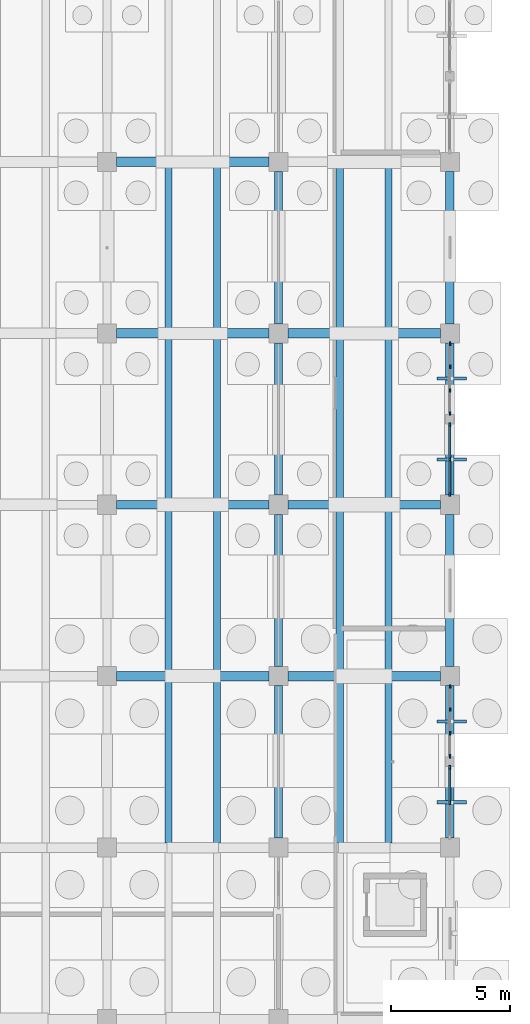
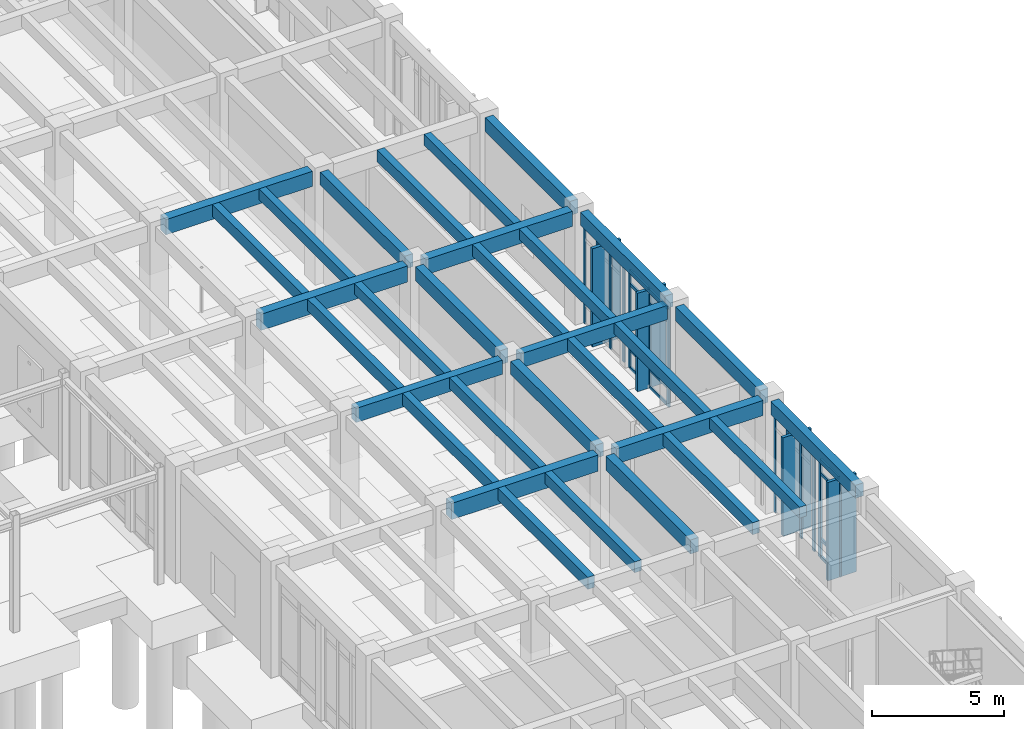
# One storey, part 40 of 93: 31 beams, 29 members, 4 elements without a shape of their own.
"""IFC4 building model written with IfcOpenShell, lengths in metres."""

from ifc_helpers import new_model, si_unit, direction, frame, origin, origin_2d, place, context, subcontext, project, spatial, rectangle, extrude, material, layer, layer_set, material_profile, profile_set, type_object, element, aggregate, save


model = new_model("IFC4")

# Units and contexts
model_context = context("Model", 3, precision=1e-05, world=origin(), true_north=direction((0.0, 1.0)))
body_context = subcontext(model_context, "Body", "Model", "MODEL_VIEW")
ifc_project = project(units=[si_unit("LENGTHUNIT", "METRE"), si_unit("AREAUNIT", "SQUARE_METRE"), si_unit("VOLUMEUNIT", "CUBIC_METRE"), si_unit("PLANEANGLEUNIT", "RADIAN"), si_unit("MASSUNIT", "GRAM", prefix="KILO")], contexts=[model_context])

# Site, building, storey
site_placement = place(None, origin())
site = spatial("IfcSite", under=ifc_project, at=site_placement, CompositionType="ELEMENT")
building_placement = place(site_placement, origin())
building = spatial("IfcBuilding", under=site, at=building_placement, Name="Koriwan Promenade Central Fire Station", CompositionType="ELEMENT")
storey_placement = place(building_placement, origin())
storey = spatial("IfcBuildingStorey", under=building, at=storey_placement, Name="L00", CompositionType="ELEMENT", Elevation=0.0)

# Beams
ifc_material_1 = material(Name="Concrete C35/45", Category="concrete")
ifc_material_profile_1 = material_profile(ifc_material_1, rectangle(XDim=0.300048828125, YDim=0.5, at=origin_2d()), Name="RC-BM-300x500")
ifc_profile_set_1 = profile_set([ifc_material_profile_1], Name="Concrete C35/45")
beam_type_1 = type_object("IfcBeamType", Name="Beam_RC-BM-300x500", PredefinedType="JOIST", material=ifc_profile_set_1)
for number, where, z_axis, x_axis, name in (
    (1, (163.02392578125, 29.0, 4.89990234375), (0.0, 1.0, 0.0), (-1.0, 0.0, 0.0), "V5 L00 secondary joist 585"),
    (2, (170.22412109375, 29.0, 4.89990234375), (0.0, 1.0, 0.0), (-1.0, 0.0, 0.0), "V5 L00 secondary joist 587"),
):
    element("IfcBeam", number, at=place(storey_placement, frame(where, z_axis=z_axis, x_axis=x_axis)), inside=storey, type_object=beam_type_1, Name=name, PredefinedType="JOIST", context=body_context, shape_type="SweptSolid", body=[
        extrude(rectangle(XDim=0.300048828125, YDim=0.5, at=origin_2d()), origin(), (0.0, 0.0, 1.0), 6.800048828125),
    ])
for number, where, z_axis, x_axis, name in (
    (3, (163.02392578125, 36.199951171875, 4.89990234375), (0.0, 1.0, 0.0), (-1.0, 0.0, 0.0), "V5 L00 secondary joist 591"),
    (4, (170.22412109375, 36.199951171875, 4.89990234375), (0.0, 1.0, 0.0), (-1.0, 0.0, 0.0), "V5 L00 secondary joist 593"),
    (5, (163.02392578125, 43.375, 4.89990234375), (0.0, 1.0, 0.0), (-1.0, 0.0, 0.0), "V5 L00 secondary joist 597"),
    (6, (170.22412109375, 43.375, 4.89990234375), (0.0, 1.0, 0.0), (-1.0, 0.0, 0.0), "V5 L00 secondary joist 599"),
):
    element("IfcBeam", number, at=place(storey_placement, frame(where, z_axis=z_axis, x_axis=x_axis)), inside=storey, type_object=beam_type_1, Name=name, PredefinedType="JOIST", context=body_context, shape_type="SweptSolid", body=[
        extrude(rectangle(XDim=0.300048828125, YDim=0.5, at=origin_2d()), origin(), (0.0, 0.0, 1.0), 6.824951171875),
    ])
for number, where, z_axis, x_axis, name in (
    (7, (163.02392578125, 50.60009765625, 4.89990234375), (0.0, 1.0, 0.0), (-1.0, 0.0, 0.0), "V5 L00 secondary joist 603"),
    (8, (170.22412109375, 50.60009765625, 4.89990234375), (0.0, 1.0, 0.0), (-1.0, 0.0, 0.0), "V5 L00 secondary joist 605"),
):
    element("IfcBeam", number, at=place(storey_placement, frame(where, z_axis=z_axis, x_axis=x_axis)), inside=storey, type_object=beam_type_1, Name=name, PredefinedType="JOIST", context=body_context, shape_type="SweptSolid", body=[
        extrude(rectangle(XDim=0.300048828125, YDim=0.5, at=origin_2d()), origin(), (0.0, 0.0, 1.0), 6.7998046875),
    ])
ifc_material_profile_2 = material_profile(ifc_material_1, rectangle(XDim=0.300048828125, YDim=0.550048828125, at=origin_2d()), Name="RC-BM-300x550")
ifc_profile_set_2 = profile_set([ifc_material_profile_2], Name="Concrete C35/45")
beam_type_2 = type_object("IfcBeamType", Name="Beam_RC-BM-300x550", PredefinedType="JOIST", material=ifc_profile_set_2)
for number, where, z_axis, x_axis, name in (
    (9, (160.97607421875, 29.0, 4.875), (0.0, 1.0, 0.0), (-1.0, 0.0, 0.0), "V5 L00 secondary joist 584"),
    (10, (168.176025390625, 29.0, 4.875), (0.0, 1.0, 0.0), (-1.0, 0.0, 0.0), "V5 L00 secondary joist 586"),
):
    element("IfcBeam", number, at=place(storey_placement, frame(where, z_axis=z_axis, x_axis=x_axis)), inside=storey, type_object=beam_type_2, Name=name, PredefinedType="JOIST", context=body_context, shape_type="SweptSolid", body=[
        extrude(rectangle(XDim=0.300048828125, YDim=0.550048828125, at=origin_2d()), origin(), (0.0, 0.0, 1.0), 6.800048828125),
    ])
for number, where, z_axis, x_axis, name in (
    (11, (160.97607421875, 36.199951171875, 4.875), (0.0, 1.0, 0.0), (-1.0, 0.0, 0.0), "V5 L00 secondary joist 590"),
    (12, (168.176025390625, 36.199951171875, 4.875), (0.0, 1.0, 0.0), (-1.0, 0.0, 0.0), "V5 L00 secondary joist 592"),
    (13, (160.97607421875, 43.375, 4.875), (0.0, 1.0, 0.0), (-1.0, 0.0, 0.0), "V5 L00 secondary joist 596"),
    (14, (168.176025390625, 43.375, 4.875), (0.0, 1.0, 0.0), (-1.0, 0.0, 0.0), "V5 L00 secondary joist 598"),
):
    element("IfcBeam", number, at=place(storey_placement, frame(where, z_axis=z_axis, x_axis=x_axis)), inside=storey, type_object=beam_type_2, Name=name, PredefinedType="JOIST", context=body_context, shape_type="SweptSolid", body=[
        extrude(rectangle(XDim=0.300048828125, YDim=0.550048828125, at=origin_2d()), origin(), (0.0, 0.0, 1.0), 6.824951171875),
    ])
for number, where, z_axis, x_axis, name in (
    (15, (160.97607421875, 50.60009765625, 4.875), (0.0, 1.0, 0.0), (-1.0, 0.0, 0.0), "V5 L00 secondary joist 602"),
    (16, (168.176025390625, 50.60009765625, 4.875), (0.0, 1.0, 0.0), (-1.0, 0.0, 0.0), "V5 L00 secondary joist 604"),
):
    element("IfcBeam", number, at=place(storey_placement, frame(where, z_axis=z_axis, x_axis=x_axis)), inside=storey, type_object=beam_type_2, Name=name, PredefinedType="JOIST", context=body_context, shape_type="SweptSolid", body=[
        extrude(rectangle(XDim=0.300048828125, YDim=0.550048828125, at=origin_2d()), origin(), (0.0, 0.0, 1.0), 6.7998046875),
    ])
ifc_material_profile_3 = material_profile(ifc_material_1, rectangle(XDim=0.35009765625, YDim=0.60009765625, at=origin_2d()), Name="RC-BM-350x600")
ifc_profile_set_3 = profile_set([ifc_material_profile_3], Name="Concrete C35/45")
beam_type_3 = type_object("IfcBeamType", Name="Beam_RC-BM-350x600", PredefinedType="BEAM", material=ifc_profile_set_3)
beam_1_placement = place(storey_placement, frame((165.60009765625, 36.39990234375, 4.85009765625), z_axis=(0.0, 1.0, 0.0), x_axis=(-1.0, 0.0, 0.0)))
element("IfcBeam", 17, at=beam_1_placement, inside=storey, type_object=beam_type_3, Name="V5 L00 girder Y-546", PredefinedType="BEAM", context=body_context, shape_type="SweptSolid", body=[
    extrude(rectangle(XDim=0.35009765625, YDim=0.60009765625, at=origin_2d()), origin(), (0.0, 0.0, 1.0), 6.400146484375),
])
beam_2_placement = place(storey_placement, frame((165.60009765625, 50.800048828125, 4.85009765625), z_axis=(0.0, 1.0, 0.0), x_axis=(-1.0, 0.0, 0.0)))
element("IfcBeam", 18, at=beam_2_placement, inside=storey, type_object=beam_type_3, Name="V5 L00 girder Y-548", PredefinedType="BEAM", context=body_context, shape_type="SweptSolid", body=[
    extrude(rectangle(XDim=0.35009765625, YDim=0.60009765625, at=origin_2d()), origin(), (0.0, 0.0, 1.0), 6.39990234375),
])
beam_3_placement = place(storey_placement, frame((172.800048828125, 29.199951171875, 4.85009765625), z_axis=(0.0, 1.0, 0.0), x_axis=(-1.0, 0.0, 0.0)))
element("IfcBeam", 19, at=beam_3_placement, inside=storey, type_object=beam_type_3, Name="V5 L00 girder Y-556", PredefinedType="BEAM", context=body_context, shape_type="SweptSolid", body=[
    extrude(rectangle(XDim=0.35009765625, YDim=0.60009765625, at=origin_2d()), origin(), (0.0, 0.0, 1.0), 6.400146484375),
])
beam_4_placement = place(storey_placement, frame((172.800048828125, 43.60009765625, 4.85009765625), z_axis=(0.0, 1.0, 0.0), x_axis=(-1.0, 0.0, 0.0)))
element("IfcBeam", 20, at=beam_4_placement, inside=storey, type_object=beam_type_3, Name="V5 L00 girder Y-558", PredefinedType="BEAM", context=body_context, shape_type="SweptSolid", body=[
    extrude(rectangle(XDim=0.35009765625, YDim=0.60009765625, at=origin_2d()), origin(), (0.0, 0.0, 1.0), 6.39990234375),
])
ifc_material_profile_4 = material_profile(ifc_material_1, rectangle(XDim=0.35009765625, YDim=0.64990234375, at=origin_2d()), Name="RC-BM-350x650")
ifc_profile_set_4 = profile_set([ifc_material_profile_4], Name="Concrete C35/45")
beam_type_4 = type_object("IfcBeamType", Name="Beam_RC-BM-350x650", PredefinedType="BEAM", material=ifc_profile_set_4)
beam_5_placement = place(storey_placement, frame((165.60009765625, 29.199951171875, 4.824951171875), z_axis=(0.0, 1.0, 0.0), x_axis=(-1.0, 0.0, 0.0)))
element("IfcBeam", 21, at=beam_5_placement, inside=storey, type_object=beam_type_4, Name="V5 L00 girder Y-545", PredefinedType="BEAM", context=body_context, shape_type="SweptSolid", body=[
    extrude(rectangle(XDim=0.35009765625, YDim=0.64990234375, at=origin_2d()), origin(), (0.0, 0.0, 1.0), 6.400146484375),
])
beam_6_placement = place(storey_placement, frame((165.60009765625, 43.60009765625, 4.824951171875), z_axis=(0.0, 1.0, 0.0), x_axis=(-1.0, 0.0, 0.0)))
element("IfcBeam", 22, at=beam_6_placement, inside=storey, type_object=beam_type_4, Name="V5 L00 girder Y-547", PredefinedType="BEAM", context=body_context, shape_type="SweptSolid", body=[
    extrude(rectangle(XDim=0.35009765625, YDim=0.64990234375, at=origin_2d()), origin(), (0.0, 0.0, 1.0), 6.39990234375),
])
beam_7_placement = place(storey_placement, frame((172.800048828125, 36.39990234375, 4.824951171875), z_axis=(0.0, 1.0, 0.0), x_axis=(-1.0, 0.0, 0.0)))
element("IfcBeam", 23, at=beam_7_placement, inside=storey, type_object=beam_type_4, Name="V5 L00 girder Y-557", PredefinedType="BEAM", context=body_context, shape_type="SweptSolid", body=[
    extrude(rectangle(XDim=0.35009765625, YDim=0.64990234375, at=origin_2d()), origin(), (0.0, 0.0, 1.0), 6.400146484375),
])
beam_8_placement = place(storey_placement, frame((172.800048828125, 50.800048828125, 4.824951171875), z_axis=(0.0, 1.0, 0.0), x_axis=(-1.0, 0.0, 0.0)))
element("IfcBeam", 24, at=beam_8_placement, inside=storey, type_object=beam_type_4, Name="V5 L00 girder Y-559", PredefinedType="BEAM", context=body_context, shape_type="SweptSolid", body=[
    extrude(rectangle(XDim=0.35009765625, YDim=0.64990234375, at=origin_2d()), origin(), (0.0, 0.0, 1.0), 6.39990234375),
])
ifc_material_profile_5 = material_profile(ifc_material_1, rectangle(XDim=0.39990234375, YDim=0.699951171875, at=origin_2d()), Name="RC-BM-400x700")
ifc_profile_set_5 = profile_set([ifc_material_profile_5], Name="Concrete C35/45")
beam_type_5 = type_object("IfcBeamType", Name="Beam_RC-BM-400x700", PredefinedType="BEAM", material=ifc_profile_set_5)
for number, where, z_axis, x_axis, name in (
    (25, (166.0, 36.0, 4.800048828125), (1.0, 0.0, 0.0), (0.0, 1.0, 0.0), "V5 L00 girder X-498"),
    (26, (166.0, 50.39990234375, 4.800048828125), (1.0, 0.0, 0.0), (0.0, 1.0, 0.0), "V5 L00 girder X-504"),
    (27, (158.800048828125, 57.60009765625, 4.800048828125), (1.0, 0.0, 0.0), (0.0, 1.0, 0.0), "V5 L00 girder X-506"),
):
    element("IfcBeam", number, at=place(storey_placement, frame(where, z_axis=z_axis, x_axis=x_axis)), inside=storey, type_object=beam_type_5, Name=name, PredefinedType="BEAM", context=body_context, shape_type="SweptSolid", body=[
        extrude(rectangle(XDim=0.39990234375, YDim=0.699951171875, at=origin_2d()), origin(), (0.0, 0.0, 1.0), 6.39990234375),
    ])
ifc_material_profile_6 = material_profile(ifc_material_1, rectangle(XDim=0.39990234375, YDim=0.75, at=origin_2d()), Name="RC-BM-400x750")
ifc_profile_set_6 = profile_set([ifc_material_profile_6], Name="Concrete C35/45")
beam_type_6 = type_object("IfcBeamType", Name="Beam_RC-BM-400x750", PredefinedType="BEAM", material=ifc_profile_set_6)
for number, where, z_axis, x_axis, name in (
    (28, (158.800048828125, 36.0, 4.77490234375), (1.0, 0.0, 0.0), (0.0, 1.0, 0.0), "V5 L00 girder X-497"),
    (29, (158.800048828125, 50.39990234375, 4.77490234375), (1.0, 0.0, 0.0), (0.0, 1.0, 0.0), "V5 L00 girder X-503"),
):
    element("IfcBeam", number, at=place(storey_placement, frame(where, z_axis=z_axis, x_axis=x_axis)), inside=storey, type_object=beam_type_6, Name=name, PredefinedType="BEAM", context=body_context, shape_type="SweptSolid", body=[
        extrude(rectangle(XDim=0.39990234375, YDim=0.75, at=origin_2d()), origin(), (0.0, 0.0, 1.0), 6.39990234375),
    ])
ifc_material_profile_7 = material_profile(ifc_material_1, rectangle(XDim=0.35009765625, YDim=0.64990234375, at=origin_2d()), Name="RC-SP-350x650")
ifc_profile_set_7 = profile_set([ifc_material_profile_7], Name="Concrete C35/45")
beam_type_7 = type_object("IfcBeamType", Name="Beam_RC-SP-350x650", PredefinedType="SPANDREL", material=ifc_profile_set_7)
for number, where, z_axis, x_axis, name in (
    (30, (158.800048828125, 43.199951171875, 4.824951171875), (1.0, 0.0, 0.0), (0.0, 1.0, 0.0), "V5 L00 girder X-500"),
    (31, (166.0, 43.199951171875, 4.824951171875), (1.0, 0.0, 0.0), (0.0, 1.0, 0.0), "V5 L00 girder X-501"),
):
    element("IfcBeam", number, at=place(storey_placement, frame(where, z_axis=z_axis, x_axis=x_axis)), inside=storey, type_object=beam_type_7, Name=name, PredefinedType="SPANDREL", context=body_context, shape_type="SweptSolid", body=[
        extrude(rectangle(XDim=0.35009765625, YDim=0.64990234375, at=origin_2d()), origin(), (0.0, 0.0, 1.0), 6.39990234375),
    ])

# Curtain wall, members
ifc_material_2 = material(Name="Aluminium EN AW-6063-T6 and low-E glazing", Category="aluminium")
ifc_layer_1 = layer(ifc_material_2, 0.159912109375, Name="Aluminium EN AW-6063-T6 and low-E glazing")
ifc_layer_set_1 = layer_set([ifc_layer_1], Name="Aluminium EN AW-6063-T6 and low-E glazing")
curtain_wall_type_1 = type_object("IfcCurtainWallType", Name="CurtainWall_59_300x454", PredefinedType="USERDEFINED", material=ifc_layer_set_1)
curtain_wall_1_placement = place(storey_placement, origin())
curtain_wall_1 = element("IfcCurtainWall", 32, at=curtain_wall_1_placement, inside=storey, type_object=curtain_wall_type_1, Name="V5 L00 unitised curtain wall 153", ObjectType="UNITISED CURTAIN WALL", PredefinedType="USERDEFINED")
ifc_material_3 = material(Name="Aluminium EN AW-6063-T6", Category="aluminium")
ifc_material_profile_8 = material_profile(ifc_material_3, rectangle(XDim=0.06494140625, YDim=0.159912109375, at=origin_2d()), Name="ALU-MUL-65x160")
ifc_profile_set_8 = profile_set([ifc_material_profile_8], Name="Aluminium EN AW-6063-T6")
member_type_1 = type_object("IfcMemberType", Name="CWMullion_ALU-MUL-65x160", PredefinedType="MULLION", material=ifc_profile_set_8)
member_1_placement = place(storey_placement, frame((172.800048828125, 49.967529296875, 0.0), z_axis=(0.0, 0.0, 1.0), x_axis=(1.0, 0.0, 0.0)))
member_1 = element("IfcMember", 33, at=member_1_placement, type_object=member_type_1, Name="CW-59 mullion 1", PredefinedType="MULLION", context=body_context, shape_type="SweptSolid", body=[
    extrude(rectangle(XDim=0.06494140625, YDim=0.159912109375, at=origin_2d()), origin(), (0.0, 0.0, 1.0), 4.5400390625),
])
member_2_placement = place(storey_placement, frame((172.800048828125, 49.0, 0.0), z_axis=(0.0, 0.0, 1.0), x_axis=(1.0, 0.0, 0.0)))
member_2 = element("IfcMember", 34, at=member_2_placement, type_object=member_type_1, Name="CW-59 mullion 2", PredefinedType="MULLION", context=body_context, shape_type="SweptSolid", body=[
    extrude(rectangle(XDim=0.06494140625, YDim=0.159912109375, at=origin_2d()), origin(), (0.0, 0.0, 1.0), 4.5400390625),
])
member_3_placement = place(storey_placement, frame((172.800048828125, 48.0, 0.0), z_axis=(0.0, 0.0, 1.0), x_axis=(1.0, 0.0, 0.0)))
member_3 = element("IfcMember", 35, at=member_3_placement, type_object=member_type_1, Name="CW-59 mullion 3", PredefinedType="MULLION", context=body_context, shape_type="SweptSolid", body=[
    extrude(rectangle(XDim=0.06494140625, YDim=0.159912109375, at=origin_2d()), origin(), (0.0, 0.0, 1.0), 4.5400390625),
])
member_4_placement = place(storey_placement, frame((172.800048828125, 47.032470703125, 0.0), z_axis=(0.0, 0.0, 1.0), x_axis=(1.0, 0.0, 0.0)))
member_4 = element("IfcMember", 36, at=member_4_placement, type_object=member_type_1, Name="CW-59 mullion 4", PredefinedType="MULLION", context=body_context, shape_type="SweptSolid", body=[
    extrude(rectangle(XDim=0.06494140625, YDim=0.159912109375, at=origin_2d()), origin(), (0.0, 0.0, 1.0), 4.5400390625),
])
aggregate(curtain_wall_1, [member_1, member_2, member_3, member_4])

curtain_wall_2_placement = place(storey_placement, origin())
curtain_wall_2 = element("IfcCurtainWall", 37, at=curtain_wall_2_placement, inside=storey, type_object=curtain_wall_type_1, Name="V5 L00 unitised curtain wall 155", ObjectType="UNITISED CURTAIN WALL", PredefinedType="USERDEFINED")
member_5_placement = place(storey_placement, frame((172.800048828125, 35.5673828125, 0.0), z_axis=(0.0, 0.0, 1.0), x_axis=(1.0, 0.0, 0.0)))
member_5 = element("IfcMember", 38, at=member_5_placement, type_object=member_type_1, Name="CW-59 mullion 1", PredefinedType="MULLION", context=body_context, shape_type="SweptSolid", body=[
    extrude(rectangle(XDim=0.06494140625, YDim=0.159912109375, at=origin_2d()), origin(), (0.0, 0.0, 1.0), 4.5400390625),
])
member_6_placement = place(storey_placement, frame((172.800048828125, 34.60009765625, 0.0), z_axis=(0.0, 0.0, 1.0), x_axis=(1.0, 0.0, 0.0)))
member_6 = element("IfcMember", 39, at=member_6_placement, type_object=member_type_1, Name="CW-59 mullion 2", PredefinedType="MULLION", context=body_context, shape_type="SweptSolid", body=[
    extrude(rectangle(XDim=0.06494140625, YDim=0.159912109375, at=origin_2d()), origin(), (0.0, 0.0, 1.0), 4.5400390625),
])
member_7_placement = place(storey_placement, frame((172.800048828125, 33.60009765625, 0.0), z_axis=(0.0, 0.0, 1.0), x_axis=(1.0, 0.0, 0.0)))
member_7 = element("IfcMember", 40, at=member_7_placement, type_object=member_type_1, Name="CW-59 mullion 3", PredefinedType="MULLION", context=body_context, shape_type="SweptSolid", body=[
    extrude(rectangle(XDim=0.06494140625, YDim=0.159912109375, at=origin_2d()), origin(), (0.0, 0.0, 1.0), 4.5400390625),
])
member_8_placement = place(storey_placement, frame((172.800048828125, 32.632568359375, 0.0), z_axis=(0.0, 0.0, 1.0), x_axis=(1.0, 0.0, 0.0)))
member_8 = element("IfcMember", 41, at=member_8_placement, type_object=member_type_1, Name="CW-59 mullion 4", PredefinedType="MULLION", context=body_context, shape_type="SweptSolid", body=[
    extrude(rectangle(XDim=0.06494140625, YDim=0.159912109375, at=origin_2d()), origin(), (0.0, 0.0, 1.0), 4.5400390625),
])
aggregate(curtain_wall_2, [member_5, member_6, member_7, member_8])

ifc_layer_2 = layer(ifc_material_2, 0.159912109375, Name="Aluminium EN AW-6063-T6 and low-E glazing")
ifc_layer_set_2 = layer_set([ifc_layer_2], Name="Aluminium EN AW-6063-T6 and low-E glazing")
curtain_wall_type_2 = type_object("IfcCurtainWallType", Name="CurtainWall_60_300x454", PredefinedType="USERDEFINED", material=ifc_layer_set_2)
curtain_wall_3_placement = place(storey_placement, origin())
curtain_wall_3 = element("IfcCurtainWall", 42, at=curtain_wall_3_placement, inside=storey, type_object=curtain_wall_type_2, Name="V5 L00 unitised curtain wall 154", ObjectType="UNITISED CURTAIN WALL", PredefinedType="USERDEFINED")
ifc_material_profile_9 = material_profile(ifc_material_3, rectangle(XDim=0.074951171875, YDim=0.179931640625, at=origin_2d()), Name="ALU-MUL-75x180")
ifc_profile_set_9 = profile_set([ifc_material_profile_9], Name="Aluminium EN AW-6063-T6")
member_type_2 = type_object("IfcMemberType", Name="CWMullion_ALU-MUL-75x180", PredefinedType="MULLION", material=ifc_profile_set_9)
member_9_placement = place(storey_placement, frame((172.800048828125, 46.5625, 0.0), z_axis=(0.0, 0.0, 1.0), x_axis=(1.0, 0.0, 0.0)))
member_9 = element("IfcMember", 43, at=member_9_placement, type_object=member_type_2, Name="CW-60 mullion 1", PredefinedType="MULLION", context=body_context, shape_type="SweptSolid", body=[
    extrude(rectangle(XDim=0.074951171875, YDim=0.179931640625, at=origin_2d()), origin(), (0.0, 0.0, 1.0), 4.5400390625),
])
member_10_placement = place(storey_placement, frame((172.800048828125, 45.10009765625, 0.0), z_axis=(0.0, 0.0, 1.0), x_axis=(1.0, 0.0, 0.0)))
member_10 = element("IfcMember", 44, at=member_10_placement, type_object=member_type_2, Name="CW-60 mullion 2", PredefinedType="MULLION", context=body_context, shape_type="SweptSolid", body=[
    extrude(rectangle(XDim=0.074951171875, YDim=0.179931640625, at=origin_2d()), origin(), (0.0, 0.0, 1.0), 4.5400390625),
])
member_11_placement = place(storey_placement, frame((172.800048828125, 43.637451171875, 0.0), z_axis=(0.0, 0.0, 1.0), x_axis=(1.0, 0.0, 0.0)))
member_11 = element("IfcMember", 45, at=member_11_placement, type_object=member_type_2, Name="CW-60 mullion 3", PredefinedType="MULLION", context=body_context, shape_type="SweptSolid", body=[
    extrude(rectangle(XDim=0.074951171875, YDim=0.179931640625, at=origin_2d()), origin(), (0.0, 0.0, 1.0), 4.5400390625),
])

curtain_wall_4_placement = place(storey_placement, origin())
curtain_wall_4 = element("IfcCurtainWall", 46, at=curtain_wall_4_placement, inside=storey, type_object=curtain_wall_type_2, Name="V5 L00 unitised curtain wall 156", ObjectType="UNITISED CURTAIN WALL", PredefinedType="USERDEFINED")
member_12_placement = place(storey_placement, frame((172.800048828125, 32.16259765625, 0.0), z_axis=(0.0, 0.0, 1.0), x_axis=(1.0, 0.0, 0.0)))
member_12 = element("IfcMember", 47, at=member_12_placement, type_object=member_type_2, Name="CW-60 mullion 1", PredefinedType="MULLION", context=body_context, shape_type="SweptSolid", body=[
    extrude(rectangle(XDim=0.074951171875, YDim=0.179931640625, at=origin_2d()), origin(), (0.0, 0.0, 1.0), 4.5400390625),
])
member_13_placement = place(storey_placement, frame((172.800048828125, 30.699951171875, 0.0), z_axis=(0.0, 0.0, 1.0), x_axis=(1.0, 0.0, 0.0)))
member_13 = element("IfcMember", 48, at=member_13_placement, type_object=member_type_2, Name="CW-60 mullion 2", PredefinedType="MULLION", context=body_context, shape_type="SweptSolid", body=[
    extrude(rectangle(XDim=0.074951171875, YDim=0.179931640625, at=origin_2d()), origin(), (0.0, 0.0, 1.0), 4.5400390625),
])

# Member
ifc_material_profile_10 = material_profile(ifc_material_3, rectangle(XDim=0.074951171875, YDim=0.139892578125, at=origin_2d()), Name="ALU-TRN-75x140")
ifc_profile_set_10 = profile_set([ifc_material_profile_10], Name="Aluminium EN AW-6063-T6")
member_type_3 = type_object("IfcMemberType", Name="CWTransom_ALU-TRN-75x140", PredefinedType="USERDEFINED", material=ifc_profile_set_10)
member_14_placement = place(storey_placement, frame((172.800048828125, 46.52490234375, 0.03759765625), z_axis=(0.0, -1.0, 0.0), x_axis=(1.0, 0.0, 0.0)))
member_14 = element("IfcMember", 49, at=member_14_placement, type_object=member_type_3, Name="CW-60 transom 1.1", ObjectType="TRANSOM", PredefinedType="USERDEFINED", context=body_context, shape_type="SweptSolid", body=[
    extrude(rectangle(XDim=0.074951171875, YDim=0.139892578125, at=origin_2d()), origin(), (0.0, 0.0, 1.0), 1.387451171875),
])

member_15_placement = place(storey_placement, frame((172.800048828125, 46.52490234375, 0.85009765625), z_axis=(0.0, -1.0, 0.0), x_axis=(1.0, 0.0, 0.0)))
member_15 = element("IfcMember", 50, at=member_15_placement, type_object=member_type_3, Name="CW-60 transom 1.2", ObjectType="TRANSOM", PredefinedType="USERDEFINED", context=body_context, shape_type="SweptSolid", body=[
    extrude(rectangle(XDim=0.074951171875, YDim=0.139892578125, at=origin_2d()), origin(), (0.0, 0.0, 1.0), 1.387451171875),
])

member_16_placement = place(storey_placement, frame((172.800048828125, 46.52490234375, 3.889892578125), z_axis=(0.0, -1.0, 0.0), x_axis=(1.0, 0.0, 0.0)))
member_16 = element("IfcMember", 51, at=member_16_placement, type_object=member_type_3, Name="CW-60 transom 1.3", ObjectType="TRANSOM", PredefinedType="USERDEFINED", context=body_context, shape_type="SweptSolid", body=[
    extrude(rectangle(XDim=0.074951171875, YDim=0.139892578125, at=origin_2d()), origin(), (0.0, 0.0, 1.0), 1.387451171875),
])

member_17_placement = place(storey_placement, frame((172.800048828125, 46.52490234375, 4.50244140625), z_axis=(0.0, -1.0, 0.0), x_axis=(1.0, 0.0, 0.0)))
member_17 = element("IfcMember", 52, at=member_17_placement, type_object=member_type_3, Name="CW-60 transom 1.4", ObjectType="TRANSOM", PredefinedType="USERDEFINED", context=body_context, shape_type="SweptSolid", body=[
    extrude(rectangle(XDim=0.074951171875, YDim=0.139892578125, at=origin_2d()), origin(), (0.0, 0.0, 1.0), 1.387451171875),
])

member_18_placement = place(storey_placement, frame((172.800048828125, 45.0625, 0.03759765625), z_axis=(0.0, -1.0, 0.0), x_axis=(1.0, 0.0, 0.0)))
member_18 = element("IfcMember", 53, at=member_18_placement, type_object=member_type_3, Name="CW-60 transom 2.1", ObjectType="TRANSOM", PredefinedType="USERDEFINED", context=body_context, shape_type="SweptSolid", body=[
    extrude(rectangle(XDim=0.074951171875, YDim=0.139892578125, at=origin_2d()), origin(), (0.0, 0.0, 1.0), 1.387451171875),
])

member_19_placement = place(storey_placement, frame((172.800048828125, 45.0625, 0.85009765625), z_axis=(0.0, -1.0, 0.0), x_axis=(1.0, 0.0, 0.0)))
member_19 = element("IfcMember", 54, at=member_19_placement, type_object=member_type_3, Name="CW-60 transom 2.2", ObjectType="TRANSOM", PredefinedType="USERDEFINED", context=body_context, shape_type="SweptSolid", body=[
    extrude(rectangle(XDim=0.074951171875, YDim=0.139892578125, at=origin_2d()), origin(), (0.0, 0.0, 1.0), 1.387451171875),
])

member_20_placement = place(storey_placement, frame((172.800048828125, 45.0625, 3.889892578125), z_axis=(0.0, -1.0, 0.0), x_axis=(1.0, 0.0, 0.0)))
member_20 = element("IfcMember", 55, at=member_20_placement, type_object=member_type_3, Name="CW-60 transom 2.3", ObjectType="TRANSOM", PredefinedType="USERDEFINED", context=body_context, shape_type="SweptSolid", body=[
    extrude(rectangle(XDim=0.074951171875, YDim=0.139892578125, at=origin_2d()), origin(), (0.0, 0.0, 1.0), 1.387451171875),
])

member_21_placement = place(storey_placement, frame((172.800048828125, 45.0625, 4.50244140625), z_axis=(0.0, -1.0, 0.0), x_axis=(1.0, 0.0, 0.0)))
member_21 = element("IfcMember", 56, at=member_21_placement, type_object=member_type_3, Name="CW-60 transom 2.4", ObjectType="TRANSOM", PredefinedType="USERDEFINED", context=body_context, shape_type="SweptSolid", body=[
    extrude(rectangle(XDim=0.074951171875, YDim=0.139892578125, at=origin_2d()), origin(), (0.0, 0.0, 1.0), 1.387451171875),
])

aggregate(curtain_wall_3, [member_9, member_10, member_11, member_14, member_15, member_16, member_17, member_18, member_19, member_20, member_21])

member_22_placement = place(storey_placement, frame((172.800048828125, 32.125, 0.03759765625), z_axis=(0.0, -1.0, 0.0), x_axis=(1.0, 0.0, 0.0)))
member_22 = element("IfcMember", 57, at=member_22_placement, type_object=member_type_3, Name="CW-60 transom 1.1", ObjectType="TRANSOM", PredefinedType="USERDEFINED", context=body_context, shape_type="SweptSolid", body=[
    extrude(rectangle(XDim=0.074951171875, YDim=0.139892578125, at=origin_2d()), origin(), (0.0, 0.0, 1.0), 1.387451171875),
])

member_23_placement = place(storey_placement, frame((172.800048828125, 32.125, 0.85009765625), z_axis=(0.0, -1.0, 0.0), x_axis=(1.0, 0.0, 0.0)))
member_23 = element("IfcMember", 58, at=member_23_placement, type_object=member_type_3, Name="CW-60 transom 1.2", ObjectType="TRANSOM", PredefinedType="USERDEFINED", context=body_context, shape_type="SweptSolid", body=[
    extrude(rectangle(XDim=0.074951171875, YDim=0.139892578125, at=origin_2d()), origin(), (0.0, 0.0, 1.0), 1.387451171875),
])

member_24_placement = place(storey_placement, frame((172.800048828125, 32.125, 3.889892578125), z_axis=(0.0, -1.0, 0.0), x_axis=(1.0, 0.0, 0.0)))
member_24 = element("IfcMember", 59, at=member_24_placement, type_object=member_type_3, Name="CW-60 transom 1.3", ObjectType="TRANSOM", PredefinedType="USERDEFINED", context=body_context, shape_type="SweptSolid", body=[
    extrude(rectangle(XDim=0.074951171875, YDim=0.139892578125, at=origin_2d()), origin(), (0.0, 0.0, 1.0), 1.387451171875),
])

member_25_placement = place(storey_placement, frame((172.800048828125, 32.125, 4.50244140625), z_axis=(0.0, -1.0, 0.0), x_axis=(1.0, 0.0, 0.0)))
member_25 = element("IfcMember", 60, at=member_25_placement, type_object=member_type_3, Name="CW-60 transom 1.4", ObjectType="TRANSOM", PredefinedType="USERDEFINED", context=body_context, shape_type="SweptSolid", body=[
    extrude(rectangle(XDim=0.074951171875, YDim=0.139892578125, at=origin_2d()), origin(), (0.0, 0.0, 1.0), 1.387451171875),
])

aggregate(curtain_wall_4, [member_12, member_13, member_22, member_23, member_24, member_25])

# Members
ifc_material_4 = material(Name="Aluminium EN AW-6063-T6 terracotta finish", Category="masonry")
ifc_material_profile_11 = material_profile(ifc_material_4, rectangle(XDim=0.139892578125, YDim=1.25, at=origin_2d()), Name="FIN-TRC-140x1250")
ifc_profile_set_11 = profile_set([ifc_material_profile_11], Name="Aluminium EN AW-6063-T6 terracotta finish")
member_type_4 = type_object("IfcMemberType", Name="SolarFin_FIN-TRC-140x1250", PredefinedType="USERDEFINED", material=ifc_profile_set_11)
for number, where, z_axis, x_axis, name in (
    (61, (172.875, 48.5, 0.0), (0.0, 0.0, 1.0), (0.0, -1.0, 0.0), "V5 L00 terracotta solar fin 021"),
    (62, (172.875, 45.10009765625, 0.0), (0.0, 0.0, 1.0), (0.0, -1.0, 0.0), "V5 L00 terracotta solar fin 022"),
    (63, (172.875, 34.10009765625, 0.0), (0.0, 0.0, 1.0), (0.0, -1.0, 0.0), "V5 L00 terracotta solar fin 023"),
    (64, (172.875, 30.699951171875, 0.0), (0.0, 0.0, 1.0), (0.0, -1.0, 0.0), "V5 L00 terracotta solar fin 024"),
):
    element("IfcMember", number, at=place(storey_placement, frame(where, z_axis=z_axis, x_axis=x_axis)), inside=storey, type_object=member_type_4, Name=name, ObjectType="SOLAR FIN", PredefinedType="USERDEFINED", context=body_context, shape_type="SweptSolid", body=[
        extrude(rectangle(XDim=0.139892578125, YDim=1.25, at=origin_2d()), origin(), (0.0, 0.0, 1.0), 4.5400390625),
    ])

save(model, "model.ifc")
